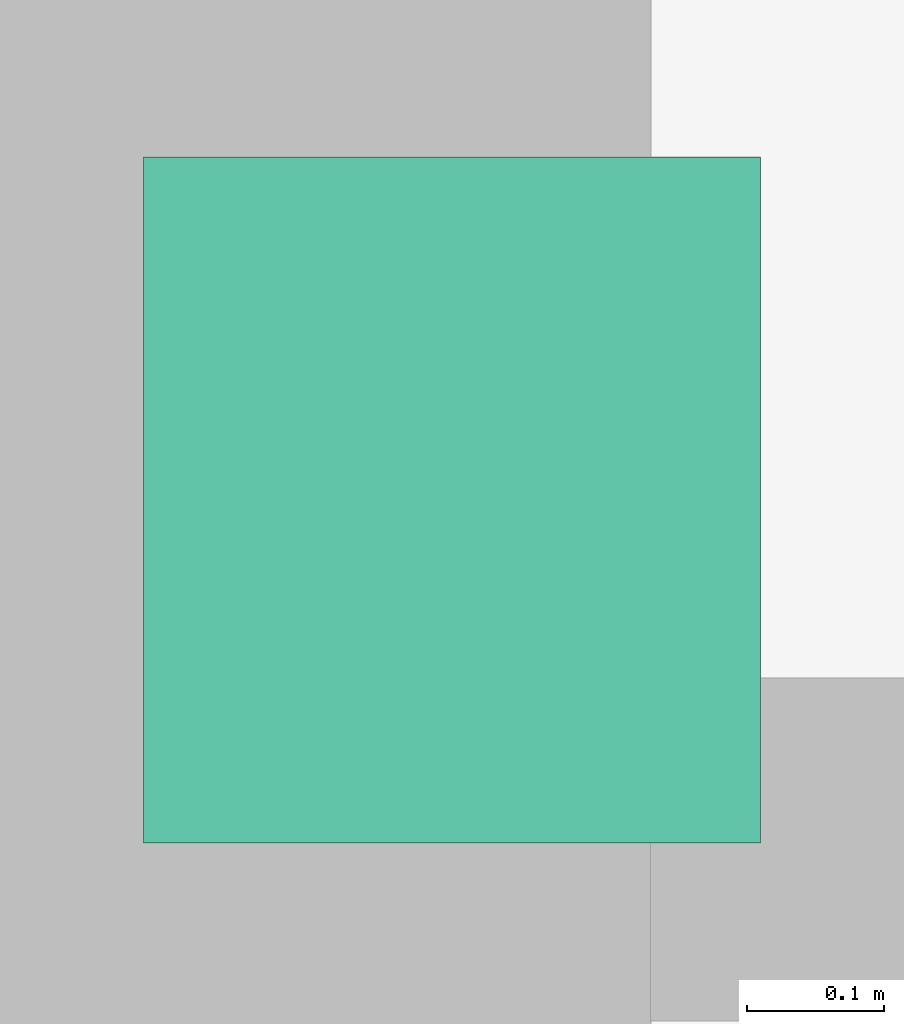
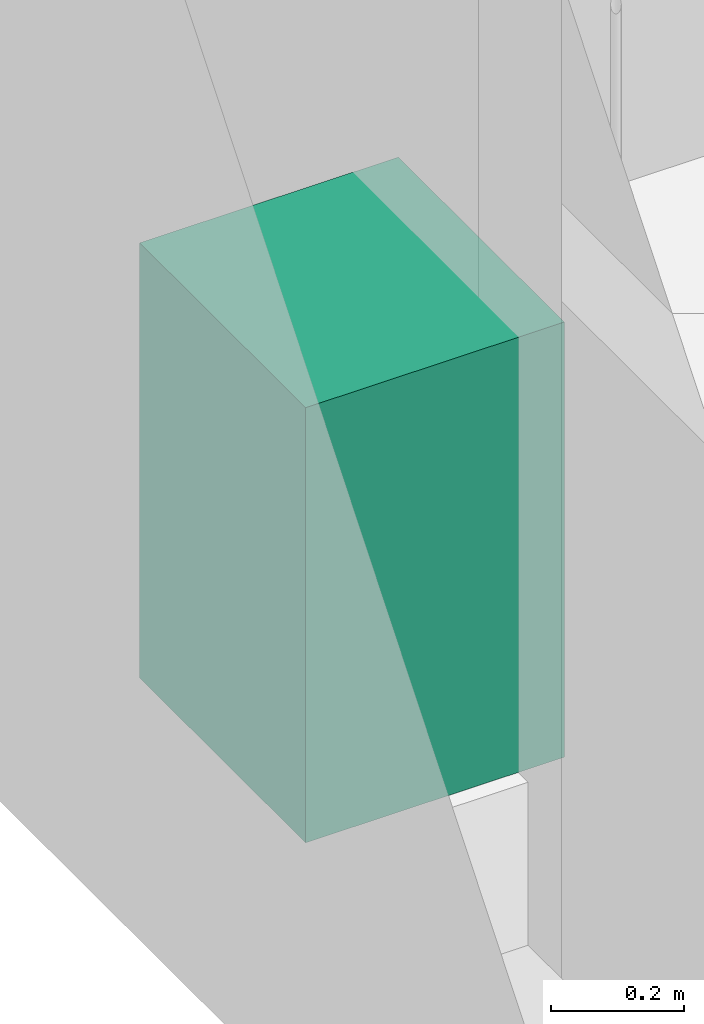
# One storey, part 62 of 64: 1 sanitary terminal.
"""IFC4 building model written with IfcOpenShell, lengths in metres."""

from ifc_helpers import new_model, si_unit, direction, frame, origin, origin_2d, place, context, subcontext, project, spatial, rectangle, extrude, material, type_object, element, save


model = new_model("IFC4")

# Units and contexts
model_context = context("Model", 3, precision=1e-05, world=origin(), true_north=direction((0.0, 1.0)))
body_context = subcontext(model_context, "Body", "Model", "MODEL_VIEW")
ifc_project = project(units=[si_unit("LENGTHUNIT", "METRE"), si_unit("AREAUNIT", "SQUARE_METRE"), si_unit("VOLUMEUNIT", "CUBIC_METRE"), si_unit("PLANEANGLEUNIT", "RADIAN"), si_unit("MASSUNIT", "GRAM", prefix="KILO")], contexts=[model_context])

# Site, building, storey
site_placement = place(None, origin())
site = spatial("IfcSite", under=ifc_project, at=site_placement, CompositionType="ELEMENT")
building_placement = place(site_placement, origin())
building = spatial("IfcBuilding", under=site, at=building_placement, Name="Rulbaag Community and Learning Centre", CompositionType="ELEMENT")
storey_placement = place(building_placement, frame((0.0, 0.0, 5.39990234375)))
storey = spatial("IfcBuildingStorey", under=building, at=storey_placement, Name="L01", CompositionType="ELEMENT", Elevation=5.39990234375)

# Sanitary terminal
ifc_material = material(Name="Stainless steel", Category="steel")
sanitary_terminal_type = type_object("IfcSanitaryTerminalType", Name="SK-CL-500", PredefinedType="SINK", material=ifc_material)
sanitary_terminal_placement = place(storey_placement, frame((143.155029296875, 100.3798828125, 0.0), z_axis=(0.0, 0.0, 1.0), x_axis=(1.0, 0.0, 0.0)))
element("IfcSanitaryTerminal", 1, at=sanitary_terminal_placement, inside=storey, type_object=sanitary_terminal_type, Name="Sink 10", PredefinedType="SINK", context=body_context, shape_type="SweptSolid", body=[
    extrude(rectangle(XDim=0.449951171875, YDim=0.5, at=origin_2d()), origin(), (0.0, 0.0, 1.0), 0.800048828125),
])

save(model, "model.ifc")
